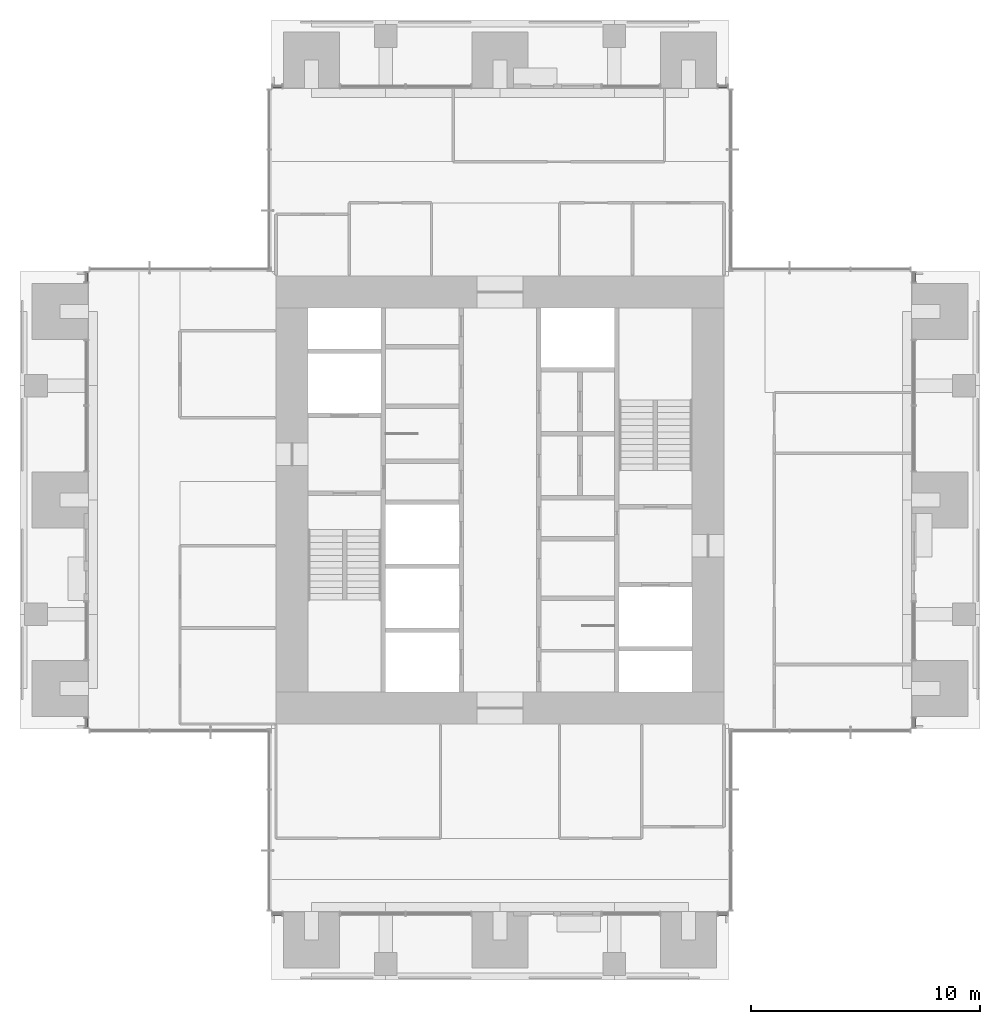
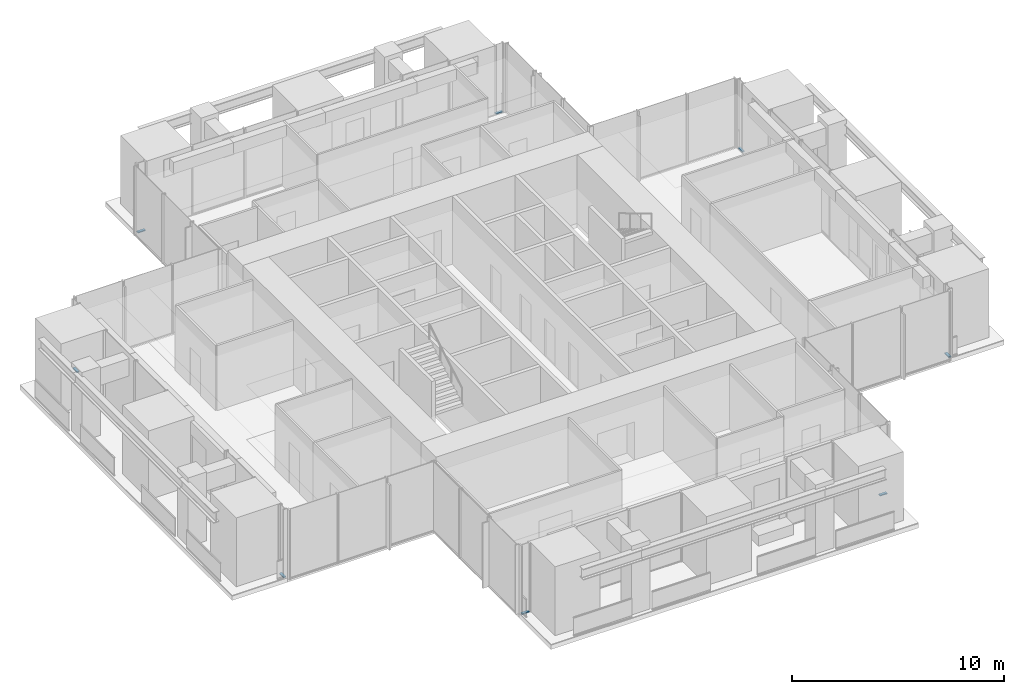
# One storey, part 6 of 17: 8 members, 8 elements without a shape of their own.
"""IFC4 building model written with IfcOpenShell, lengths in metres."""

from ifc_helpers import new_model, si_unit, direction, frame, origin, origin_2d, place, context, subcontext, project, spatial, rectangle, extrude, material, material_profile, profile_set, type_object, element, aggregate, save


model = new_model("IFC4")

# Units and contexts
model_context = context("Model", 3, precision=1e-05, world=origin(), true_north=direction((0.0, 1.0)))
body_context = subcontext(model_context, "Body", "Model", "MODEL_VIEW")
ifc_project = project(units=[si_unit("LENGTHUNIT", "METRE"), si_unit("AREAUNIT", "SQUARE_METRE"), si_unit("VOLUMEUNIT", "CUBIC_METRE"), si_unit("PLANEANGLEUNIT", "RADIAN"), si_unit("MASSUNIT", "GRAM", prefix="KILO")], contexts=[model_context])

# Site, building, storey
site_placement = place(None, origin())
site = spatial("IfcSite", under=ifc_project, at=site_placement, CompositionType="ELEMENT")
building_placement = place(site_placement, origin())
building = spatial("IfcBuilding", under=site, at=building_placement, Name="Svetlomir Tower", CompositionType="ELEMENT")
storey_placement = place(building_placement, frame((0.0, 0.0, 186.5)))
storey = spatial("IfcBuildingStorey", under=building, at=storey_placement, Name="L44", CompositionType="ELEMENT", Elevation=186.5)

# Curtain wall, member
ifc_material_1 = material(Name="Bronze anodised aluminium curtain wall", Category="aluminium")
curtain_wall_type = type_object("IfcCurtainWallType", Name="CURTAIN WALL CW1 TOWER OFFICE", PredefinedType="NOTDEFINED", material=ifc_material_1)
curtain_wall_1_placement = place(storey_placement, origin())
curtain_wall_1 = element("IfcCurtainWall", 1, at=curtain_wall_1_placement, inside=storey, type_object=curtain_wall_type, Name="Curtain wall CW1 L44", PredefinedType="NOTDEFINED")
ifc_material_2 = material(Name="Bronze anodised aluminium", Category="aluminium")
ifc_material_profile = material_profile(ifc_material_2, rectangle(XDim=0.139892578125, YDim=0.06494140625, at=origin_2d()), Name="AL 140x65")
ifc_profile_set = profile_set([ifc_material_profile], Name="Bronze anodised aluminium 6063-T6")
member_type = type_object("IfcMemberType", Name="CW1 TRANSOM 65x140", PredefinedType="USERDEFINED", material=ifc_profile_set)
member_1_placement = place(storey_placement, frame((11.06494140625, 2.89990234375, 0.032470703125), z_axis=(1.0, 0.0, 0.0), x_axis=(0.0, 1.0, 0.0)))
member_1 = element("IfcMember", 2, at=member_1_placement, type_object=member_type, Name="CW1 transom 1.1", ObjectType="TRANSOM", PredefinedType="USERDEFINED", context=body_context, shape_type="SweptSolid", body=[
    extrude(rectangle(XDim=0.139892578125, YDim=0.06494140625, at=origin_2d()), origin(), (0.0, 0.0, 1.0), 0.39501953125),
])
aggregate(curtain_wall_1, [member_1])

curtain_wall_2_placement = place(storey_placement, origin())
curtain_wall_2 = element("IfcCurtainWall", 3, at=curtain_wall_2_placement, inside=storey, type_object=curtain_wall_type, Name="Curtain wall CW1 L44", PredefinedType="NOTDEFINED")
member_2_placement = place(storey_placement, frame((30.5400390625, 2.89990234375, 0.032470703125), z_axis=(1.0, 0.0, 0.0), x_axis=(0.0, 1.0, 0.0)))
member_2 = element("IfcMember", 4, at=member_2_placement, type_object=member_type, Name="CW1 transom 1.1", ObjectType="TRANSOM", PredefinedType="USERDEFINED", context=body_context, shape_type="SweptSolid", body=[
    extrude(rectangle(XDim=0.139892578125, YDim=0.06494140625, at=origin_2d()), origin(), (0.0, 0.0, 1.0), 0.39501953125),
])
aggregate(curtain_wall_2, [member_2])

curtain_wall_3_placement = place(storey_placement, origin())
curtain_wall_3 = element("IfcCurtainWall", 5, at=curtain_wall_3_placement, inside=storey, type_object=curtain_wall_type, Name="Curtain wall CW1 L44", PredefinedType="NOTDEFINED")
member_3_placement = place(storey_placement, frame((39.10009765625, 11.06494140625, 0.032470703125), z_axis=(0.0, 1.0, 0.0), x_axis=(-1.0, 0.0, 0.0)))
member_3 = element("IfcMember", 6, at=member_3_placement, type_object=member_type, Name="CW1 transom 1.1", ObjectType="TRANSOM", PredefinedType="USERDEFINED", context=body_context, shape_type="SweptSolid", body=[
    extrude(rectangle(XDim=0.139892578125, YDim=0.06494140625, at=origin_2d()), origin(), (0.0, 0.0, 1.0), 0.39501953125),
])
aggregate(curtain_wall_3, [member_3])

curtain_wall_4_placement = place(storey_placement, origin())
curtain_wall_4 = element("IfcCurtainWall", 7, at=curtain_wall_4_placement, inside=storey, type_object=curtain_wall_type, Name="Curtain wall CW1 L44", PredefinedType="NOTDEFINED")
member_4_placement = place(storey_placement, frame((39.10009765625, 30.5400390625, 0.032470703125), z_axis=(0.0, 1.0, 0.0), x_axis=(-1.0, 0.0, 0.0)))
member_4 = element("IfcMember", 8, at=member_4_placement, type_object=member_type, Name="CW1 transom 1.1", ObjectType="TRANSOM", PredefinedType="USERDEFINED", context=body_context, shape_type="SweptSolid", body=[
    extrude(rectangle(XDim=0.139892578125, YDim=0.06494140625, at=origin_2d()), origin(), (0.0, 0.0, 1.0), 0.39501953125),
])
aggregate(curtain_wall_4, [member_4])

curtain_wall_5_placement = place(storey_placement, origin())
curtain_wall_5 = element("IfcCurtainWall", 9, at=curtain_wall_5_placement, inside=storey, type_object=curtain_wall_type, Name="Curtain wall CW1 L44", PredefinedType="NOTDEFINED")
member_5_placement = place(storey_placement, frame((30.93505859375, 39.10009765625, 0.032470703125), z_axis=(-1.0, 0.0, 0.0), x_axis=(0.0, -1.0, 0.0)))
member_5 = element("IfcMember", 10, at=member_5_placement, type_object=member_type, Name="CW1 transom 1.1", ObjectType="TRANSOM", PredefinedType="USERDEFINED", context=body_context, shape_type="SweptSolid", body=[
    extrude(rectangle(XDim=0.139892578125, YDim=0.06494140625, at=origin_2d()), origin(), (0.0, 0.0, 1.0), 0.39501953125),
])
aggregate(curtain_wall_5, [member_5])

curtain_wall_6_placement = place(storey_placement, origin())
curtain_wall_6 = element("IfcCurtainWall", 11, at=curtain_wall_6_placement, inside=storey, type_object=curtain_wall_type, Name="Curtain wall CW1 L44", PredefinedType="NOTDEFINED")
member_6_placement = place(storey_placement, frame((11.4599609375, 39.10009765625, 0.032470703125), z_axis=(-1.0, 0.0, 0.0), x_axis=(0.0, -1.0, 0.0)))
member_6 = element("IfcMember", 12, at=member_6_placement, type_object=member_type, Name="CW1 transom 1.1", ObjectType="TRANSOM", PredefinedType="USERDEFINED", context=body_context, shape_type="SweptSolid", body=[
    extrude(rectangle(XDim=0.139892578125, YDim=0.06494140625, at=origin_2d()), origin(), (0.0, 0.0, 1.0), 0.39501953125),
])
aggregate(curtain_wall_6, [member_6])

curtain_wall_7_placement = place(storey_placement, origin())
curtain_wall_7 = element("IfcCurtainWall", 13, at=curtain_wall_7_placement, inside=storey, type_object=curtain_wall_type, Name="Curtain wall CW1 L44", PredefinedType="NOTDEFINED")
member_7_placement = place(storey_placement, frame((2.89990234375, 30.93505859375, 0.032470703125), z_axis=(0.0, -1.0, 0.0), x_axis=(1.0, 0.0, 0.0)))
member_7 = element("IfcMember", 14, at=member_7_placement, type_object=member_type, Name="CW1 transom 1.1", ObjectType="TRANSOM", PredefinedType="USERDEFINED", context=body_context, shape_type="SweptSolid", body=[
    extrude(rectangle(XDim=0.139892578125, YDim=0.06494140625, at=origin_2d()), origin(), (0.0, 0.0, 1.0), 0.39501953125),
])
aggregate(curtain_wall_7, [member_7])

curtain_wall_8_placement = place(storey_placement, origin())
curtain_wall_8 = element("IfcCurtainWall", 15, at=curtain_wall_8_placement, inside=storey, type_object=curtain_wall_type, Name="Curtain wall CW1 L44", PredefinedType="NOTDEFINED")
member_8_placement = place(storey_placement, frame((2.89990234375, 11.4599609375, 0.032470703125), z_axis=(0.0, -1.0, 0.0), x_axis=(1.0, 0.0, 0.0)))
member_8 = element("IfcMember", 16, at=member_8_placement, type_object=member_type, Name="CW1 transom 1.1", ObjectType="TRANSOM", PredefinedType="USERDEFINED", context=body_context, shape_type="SweptSolid", body=[
    extrude(rectangle(XDim=0.139892578125, YDim=0.06494140625, at=origin_2d()), origin(), (0.0, 0.0, 1.0), 0.39501953125),
])
aggregate(curtain_wall_8, [member_8])

save(model, "model.ifc")
